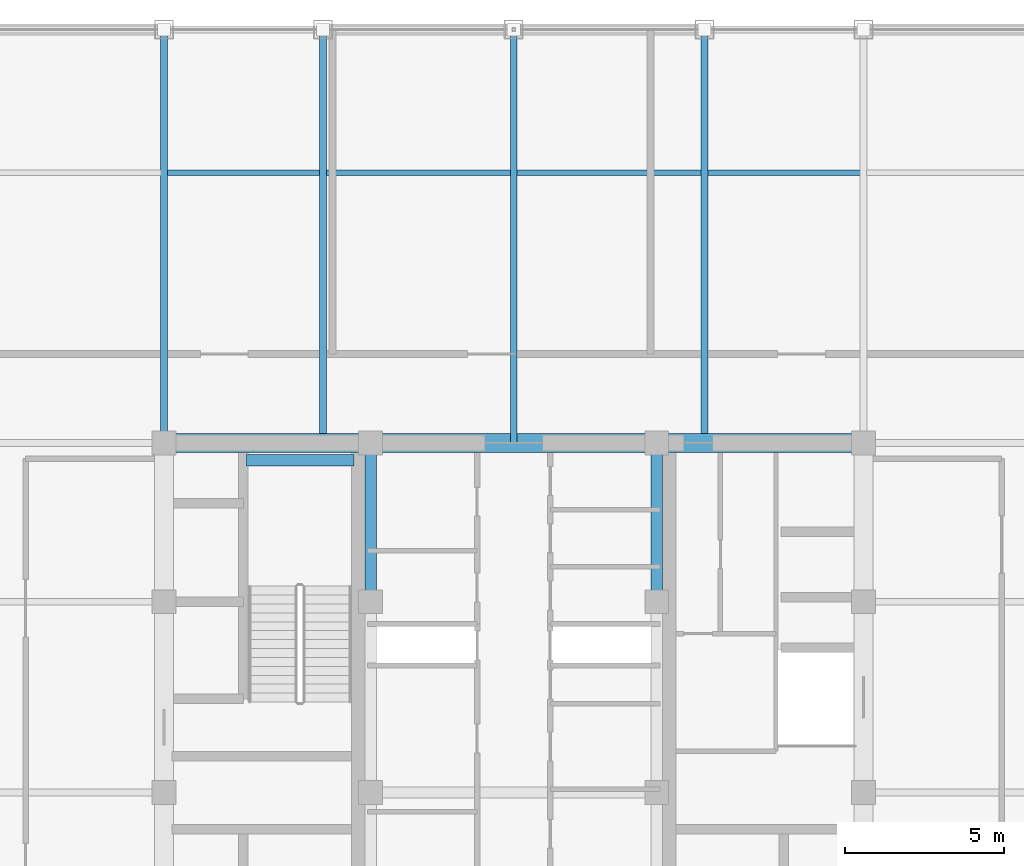
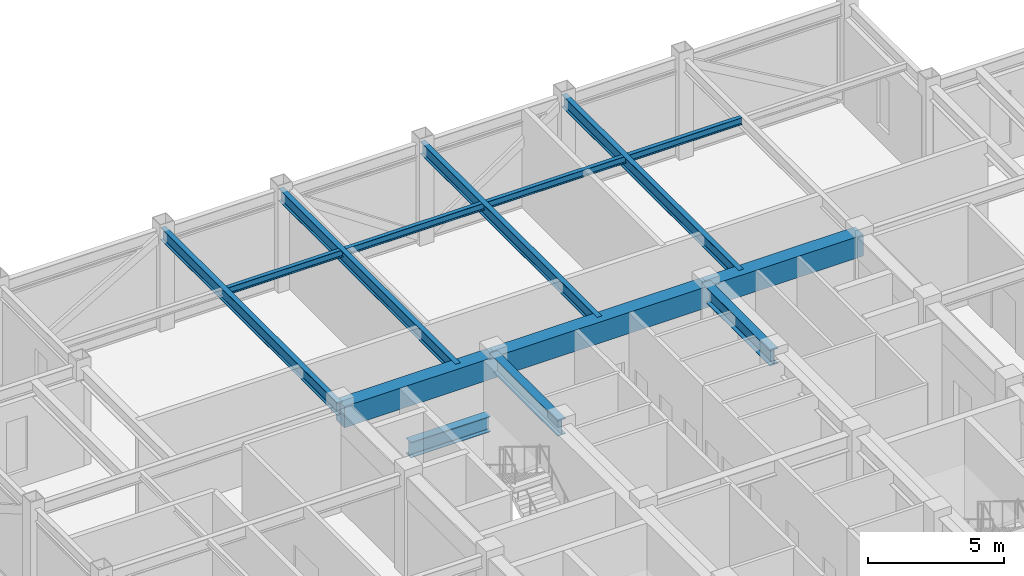
# One storey, part 15 of 27: 11 beams.
"""IFC4 building model written with IfcOpenShell, lengths in metres."""

from ifc_helpers import new_model, si_unit, direction, frame, origin, origin_2d, place, context, subcontext, project, spatial, rectangle, i_section, extrude, source, transform, mapped, material, material_profile, profile_set, type_object, element, save


model = new_model("IFC4")

# Units and contexts
model_context = context("Model", 3, precision=1e-05, world=origin(), true_north=direction((0.0, 1.0)))
body_context = subcontext(model_context, "Body", "Model", "MODEL_VIEW")
ifc_project = project(units=[si_unit("LENGTHUNIT", "METRE"), si_unit("AREAUNIT", "SQUARE_METRE"), si_unit("VOLUMEUNIT", "CUBIC_METRE"), si_unit("PLANEANGLEUNIT", "RADIAN"), si_unit("MASSUNIT", "GRAM", prefix="KILO")], contexts=[model_context])

# Site, building, storey
site_placement = place(None, origin())
site = spatial("IfcSite", under=ifc_project, at=site_placement, CompositionType="ELEMENT")
building_placement = place(site_placement, origin())
building = spatial("IfcBuilding", under=site, at=building_placement, Name="Khorayat Bourse Tower", CompositionType="ELEMENT")
storey_placement = place(building_placement, frame((0.0, 0.0, 380.300048828125)))
storey = spatial("IfcBuildingStorey", under=building, at=storey_placement, Name="L90", CompositionType="ELEMENT", Elevation=380.300048828125)

# Beams
ifc_material_1 = material(Name="Steel ASTM A992 Grade 50", Category="steel")
ifc_material_profile_1 = material_profile(ifc_material_1, i_section(OverallWidth=0.35498046875, OverallDepth=0.695068359375, WebThickness=0.015380859375, FlangeThickness=0.02490234375, FilletRadius=0.01806640625, at=origin_2d()), Name="W690X217")
ifc_profile_set_1 = profile_set([ifc_material_profile_1], Name="Steel ASTM A992 Grade 50")
beam_type_1 = type_object("IfcBeamType", Name="BM-GIRD-690", PredefinedType="BEAM", material=ifc_profile_set_1)
shared_shape_1 = source(origin(), body_context, "Body", "SweptSolid", [
    extrude(i_section(OverallWidth=0.35498046875, OverallDepth=0.695068359375, WebThickness=0.015380859375, FlangeThickness=0.02490234375, FilletRadius=0.01806640625, at=origin_2d()), origin(), (0.0, 0.0, 1.0), 5.0),
])
for number, where, z_axis, x_axis, name in (
    (1, (-4.5, 6.0, 4.1025390625), (0.0, 1.0, 0.0), (-1.0, 0.0, 0.0), "L90 BM-GIRD-690 BM-L90-CRX-08"),
    (2, (4.5, 6.0, 4.1025390625), (0.0, 1.0, 0.0), (-1.0, 0.0, 0.0), "L90 BM-GIRD-690 BM-L90-CRX-12"),
):
    element("IfcBeam", number, at=place(storey_placement, frame(where, z_axis=z_axis, x_axis=x_axis)), inside=storey, type_object=beam_type_1, Name=name, PredefinedType="BEAM", context=body_context, shape_type="MappedRepresentation", body=[
        mapped(shared_shape_1, transform((0.0, 0.0, 0.0), scale=1.0)),
    ])
shared_shape_2 = source(origin(), body_context, "Body", "SweptSolid", [
    extrude(i_section(OverallWidth=0.35498046875, OverallDepth=0.695068359375, WebThickness=0.015380859375, FlangeThickness=0.02490234375, FilletRadius=0.01806640625, at=origin_2d()), origin(), (0.0, 0.0, 1.0), 3.39990234375),
])
beam_1_placement = place(storey_placement, frame((-8.419921875, 10.449951171875, 1.8525390625), z_axis=(1.0, 0.0, 0.0), x_axis=(0.0, 1.0, 0.0)))
element("IfcBeam", 3, at=beam_1_placement, inside=storey, type_object=beam_type_1, Name="L90 BM-GIRD-690 BM-L90-ST2L", PredefinedType="BEAM", context=body_context, shape_type="MappedRepresentation", body=[
    mapped(shared_shape_2, transform((0.0, 0.0, 0.0), scale=1.0)),
])
ifc_material_2 = material(Name="Concrete C60/75", Category="concrete")
ifc_material_profile_2 = material_profile(ifc_material_2, rectangle(XDim=0.60009765625, YDim=0.949951171875, at=origin_2d()), Name="RC 600x950")
ifc_profile_set_2 = profile_set([ifc_material_profile_2], Name="Concrete C60/75")
beam_type_2 = type_object("IfcBeamType", Name="BM-COUP-950", PredefinedType="BEAM", material=ifc_profile_set_2)
shared_shape_3 = source(origin(), body_context, "Body", "SweptSolid", [
    extrude(rectangle(XDim=0.60009765625, YDim=0.949951171875, at=origin_2d()), origin(), (0.0, 0.0, 1.0), 6.5),
])
for number, where, z_axis, x_axis, name in (
    (4, (-11.0, 11.0, 3.974853515625), (1.0, 0.0, 0.0), (0.0, 1.0, 0.0), "L90 BM-COUP-950 BM-L90-CRY-20"),
    (5, (4.5, 11.0, 3.974853515625), (1.0, 0.0, 0.0), (0.0, 1.0, 0.0), "L90 BM-COUP-950 BM-L90-CRY-22"),
):
    element("IfcBeam", number, at=place(storey_placement, frame(where, z_axis=z_axis, x_axis=x_axis)), inside=storey, type_object=beam_type_2, Name=name, PredefinedType="BEAM", context=body_context, shape_type="MappedRepresentation", body=[
        mapped(shared_shape_3, transform((0.0, 0.0, 0.0), scale=1.0)),
    ])
shared_shape_4 = source(origin(), body_context, "Body", "SweptSolid", [
    extrude(rectangle(XDim=0.60009765625, YDim=0.949951171875, at=origin_2d()), origin(), (0.0, 0.0, 1.0), 9.0),
])
beam_2_placement = place(storey_placement, frame((-4.5, 11.0, 3.974853515625), z_axis=(1.0, 0.0, 0.0), x_axis=(0.0, 1.0, 0.0)))
element("IfcBeam", 6, at=beam_2_placement, inside=storey, type_object=beam_type_2, Name="L90 BM-COUP-950 BM-L90-CRY-21", PredefinedType="BEAM", context=body_context, shape_type="MappedRepresentation", body=[
    mapped(shared_shape_4, transform((0.0, 0.0, 0.0), scale=1.0)),
])
ifc_material_profile_3 = material_profile(ifc_material_1, i_section(OverallWidth=0.214111328125, OverallDepth=0.549072265625, WebThickness=0.0146484375, FlangeThickness=0.023681640625, FilletRadius=0.013916015625, at=origin_2d()), Name="W530X138")
ifc_profile_set_3 = profile_set([ifc_material_profile_3], Name="Steel ASTM A992 Grade 50")
beam_type_3 = type_object("IfcBeamType", Name="BM-GIRD-530", PredefinedType="BEAM", material=ifc_profile_set_3)
shared_shape_5 = source(origin(), body_context, "Body", "SweptSolid", [
    extrude(i_section(OverallWidth=0.214111328125, OverallDepth=0.549072265625, WebThickness=0.0146484375, FlangeThickness=0.023681640625, FilletRadius=0.013916015625, at=origin_2d()), origin(), (0.0, 0.0, 1.0), 13.0),
])
for number, where, z_axis, x_axis, name in (
    (7, (-11.0, 11.0, 4.175537109375), (0.0, 1.0, 0.0), (-1.0, 0.0, 0.0), "L90 BM-GIRD-530 BM-L90-RADY-056"),
    (8, (-6.0, 11.0, 4.175537109375), (0.0, 1.0, 0.0), (-1.0, 0.0, 0.0), "L90 BM-GIRD-530 BM-L90-RADY-058"),
    (9, (0.0, 11.0, 4.175537109375), (0.0, 1.0, 0.0), (-1.0, 0.0, 0.0), "L90 BM-GIRD-530 BM-L90-RADY-060"),
    (10, (6.0, 11.0, 4.175537109375), (0.0, 1.0, 0.0), (-1.0, 0.0, 0.0), "L90 BM-GIRD-530 BM-L90-RADY-062"),
):
    element("IfcBeam", number, at=place(storey_placement, frame(where, z_axis=z_axis, x_axis=x_axis)), inside=storey, type_object=beam_type_3, Name=name, PredefinedType="BEAM", context=body_context, shape_type="MappedRepresentation", body=[
        mapped(shared_shape_5, transform((0.0, 0.0, 0.0), scale=1.0)),
    ])
ifc_material_profile_4 = material_profile(ifc_material_1, i_section(OverallWidth=0.1669921875, OverallDepth=0.31689453125, WebThickness=0.007568359375, FlangeThickness=0.01318359375, FilletRadius=0.010009765625, at=origin_2d()), Name="W310X52")
ifc_profile_set_4 = profile_set([ifc_material_profile_4], Name="Steel ASTM A992 Grade 50")
beam_type_4 = type_object("IfcBeamType", Name="BM-JOIST-310", PredefinedType="JOIST", material=ifc_profile_set_4)
shared_shape_6 = source(origin(), body_context, "Body", "SweptSolid", [
    extrude(i_section(OverallWidth=0.1669921875, OverallDepth=0.31689453125, WebThickness=0.007568359375, FlangeThickness=0.01318359375, FilletRadius=0.010009765625, at=origin_2d()), origin(), (0.0, 0.0, 1.0), 21.81005859375),
])
beam_3_placement = place(storey_placement, frame((-10.905029296875, 19.5, 4.29150390625), z_axis=(1.0, 0.0, 0.0), x_axis=(0.0, 1.0, 0.0)))
element("IfcBeam", 11, at=beam_3_placement, inside=storey, type_object=beam_type_4, Name="L90 BM-JOIST-310 BM-L90-JSTX-088", PredefinedType="JOIST", context=body_context, shape_type="MappedRepresentation", body=[
    mapped(shared_shape_6, transform((0.0, 0.0, 0.0), scale=1.0)),
])

save(model, "model.ifc")
